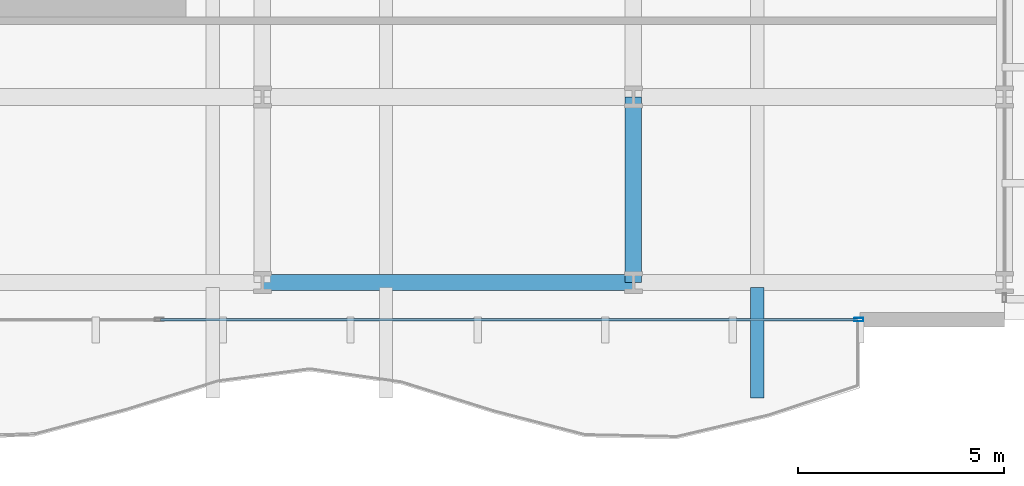
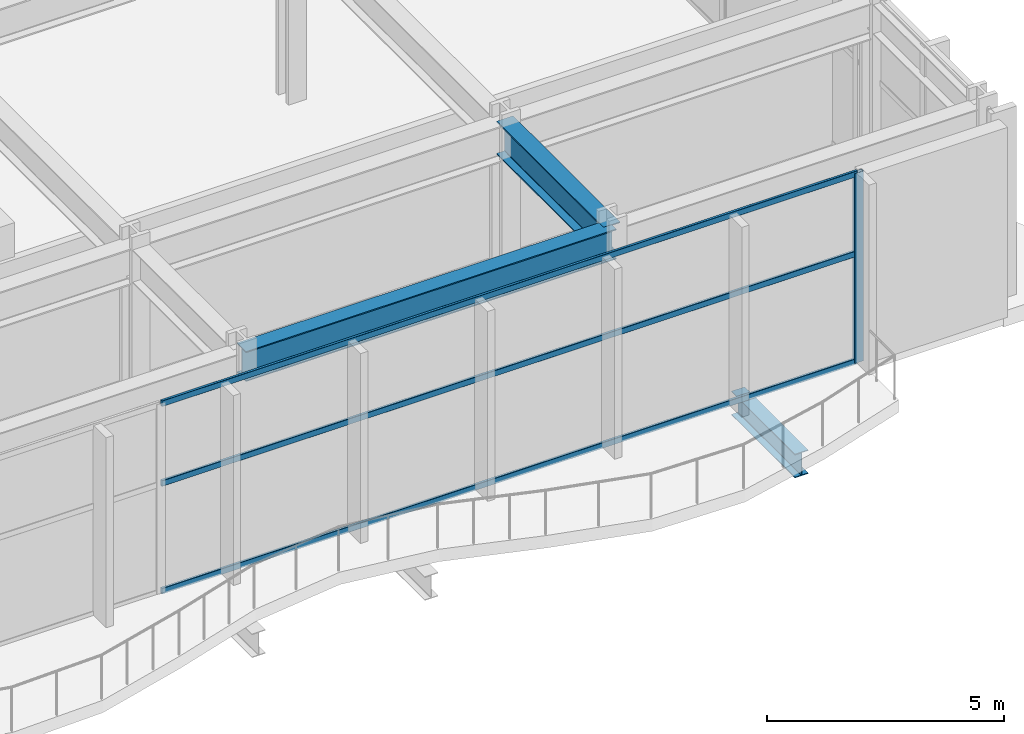
# One storey, part 8 of 31: 4 members, 3 beams, 1 element without a shape of its own.
"""IFC4 building model written with IfcOpenShell, lengths in metres."""

from ifc_helpers import new_model, si_unit, direction, frame, origin, origin_2d, place, context, subcontext, project, spatial, hollow_rectangle, i_section, extrude, material, layer, layer_set, material_profile, profile_set, type_object, element, aggregate, save


model = new_model("IFC4")

# Units and contexts
model_context = context("Model", 3, precision=1e-05, world=origin(), true_north=direction((0.0, 1.0)))
body_context = subcontext(model_context, "Body", "Model", "MODEL_VIEW")
ifc_project = project(units=[si_unit("LENGTHUNIT", "METRE"), si_unit("AREAUNIT", "SQUARE_METRE"), si_unit("VOLUMEUNIT", "CUBIC_METRE"), si_unit("PLANEANGLEUNIT", "RADIAN"), si_unit("MASSUNIT", "GRAM", prefix="KILO")], contexts=[model_context])

# Site, building, storey
site_placement = place(None, origin())
site = spatial("IfcSite", under=ifc_project, at=site_placement, CompositionType="ELEMENT")
building_placement = place(site_placement, origin())
building = spatial("IfcBuilding", under=site, at=building_placement, Name="Solvaryn Broadcast Tower", CompositionType="ELEMENT")
storey_placement = place(building_placement, frame((0.0, 0.0, 11.0)))
storey = spatial("IfcBuildingStorey", under=building, at=storey_placement, Name="L02", CompositionType="ELEMENT", Elevation=11.0)

# Beams
ifc_material_1 = material(Name="Steel ASTM A992 Grade 50", Category="steel")
ifc_material_profile_1 = material_profile(ifc_material_1, i_section(OverallWidth=0.323974609375, OverallDepth=0.611083984375, WebThickness=0.0126953125, FlangeThickness=0.01904296875, FilletRadius=0.014892578125, at=origin_2d()))
ifc_profile_set_1 = profile_set([ifc_material_profile_1], Name="Steel ASTM A992 Grade 50")
beam_type_1 = type_object("IfcBeamType", Name="BM-CANT-TER", PredefinedType="BEAM", material=ifc_profile_set_1)
beam_1_placement = place(storey_placement, frame((57.0, 4.375, -0.62548828125), z_axis=(0.0, -1.0, 0.0), x_axis=(1.0, 0.0, 0.0)))
element("IfcBeam", 1, at=beam_1_placement, inside=storey, type_object=beam_type_1, Name="L02 Terrace Cantilever Beam X57.0", PredefinedType="BEAM", context=body_context, shape_type="SweptSolid", body=[
    extrude(i_section(OverallWidth=0.323974609375, OverallDepth=0.611083984375, WebThickness=0.0126953125, FlangeThickness=0.01904296875, FilletRadius=0.014892578125, at=origin_2d()), origin(), (0.0, 0.0, 1.0), 2.675048828125),
])
ifc_material_2 = material(Name="Steel ASTM A992 Grade 50", Category="steel")
ifc_material_profile_2 = material_profile(ifc_material_2, i_section(OverallWidth=0.39990234375, OverallDepth=0.85498046875, WebThickness=0.018310546875, FlangeThickness=0.029296875, FilletRadius=0.02001953125, at=origin_2d()))
ifc_profile_set_2 = profile_set([ifc_material_profile_2], Name="Steel ASTM A992 Grade 50")
beam_type_2 = type_object("IfcBeamType", Name="BM-G3-W33X201", PredefinedType="BEAM", material=ifc_profile_set_2)
beam_2_placement = place(storey_placement, frame((54.0, 4.5, 4.452392578125), z_axis=(0.0, 1.0, 0.0), x_axis=(-1.0, 0.0, 0.0)))
element("IfcBeam", 2, at=beam_2_placement, inside=storey, type_object=beam_type_2, Name="L02 Primary Beam Y (4-9 @ X=54)", PredefinedType="BEAM", context=body_context, shape_type="SweptSolid", body=[
    extrude(i_section(OverallWidth=0.39990234375, OverallDepth=0.85498046875, WebThickness=0.018310546875, FlangeThickness=0.029296875, FilletRadius=0.02001953125, at=origin_2d()), origin(), (0.0, 0.0, 1.0), 4.5),
])
ifc_material_3 = material(Name="Steel ASTM A992 Grade 50", Category="steel")
ifc_material_profile_3 = material_profile(ifc_material_3, i_section(OverallWidth=0.381103515625, OverallDepth=0.77294921875, WebThickness=0.0166015625, FlangeThickness=0.027099609375, FilletRadius=0.01806640625, at=origin_2d()))
ifc_profile_set_3 = profile_set([ifc_material_profile_3], Name="Steel ASTM A992 Grade 50")
beam_type_3 = type_object("IfcBeamType", Name="BM-SP1-W30X173", PredefinedType="USERDEFINED", material=ifc_profile_set_3)
beam_3_placement = place(storey_placement, frame((45.0, 4.5, 4.493408203125), z_axis=(1.0, 0.0, 0.0), x_axis=(0.0, 1.0, 0.0)))
element("IfcBeam", 3, at=beam_3_placement, inside=storey, type_object=beam_type_3, Name="L02 Spandrel Beam X (45-54 @ Y=4)", ObjectType="SPANDREL", PredefinedType="USERDEFINED", context=body_context, shape_type="SweptSolid", body=[
    extrude(i_section(OverallWidth=0.381103515625, OverallDepth=0.77294921875, WebThickness=0.0166015625, FlangeThickness=0.027099609375, FilletRadius=0.01806640625, at=origin_2d()), origin(), (0.0, 0.0, 1.0), 9.0),
])

# Curtain wall, members
ifc_material_4 = material(Name="Aluminium and Terracotta Unitised Curtain Wall", Category="masonry")
ifc_layer = layer(ifc_material_4, 0.219970703125)
ifc_layer_set = layer_set([ifc_layer], Name="CW-SYS1-PODIUM")
curtain_wall_type = type_object("IfcCurtainWallType", Name="CW-SYS1-PODIUM", PredefinedType="NOTDEFINED", material=ifc_layer_set)
curtain_wall_placement = place(storey_placement, origin())
curtain_wall = element("IfcCurtainWall", 4, at=curtain_wall_placement, inside=storey, type_object=curtain_wall_type, Name="L02 Podium Curtain Wall S1", PredefinedType="NOTDEFINED")
ifc_material_5 = material(Name="Anodised Aluminium 6063-T6", Category="aluminium")
ifc_material_profile_4 = material_profile(ifc_material_5, hollow_rectangle(XDim=0.0849609375, YDim=0.219970703125, WallThickness=0.0048828125, InnerFilletRadius=0.0048828125, OuterFilletRadius=0.010009765625, at=origin_2d()))
ifc_profile_set_4 = profile_set([ifc_material_profile_4], Name="Anodised Aluminium 6063-T6")
member_type_1 = type_object("IfcMemberType", Name="CW-MUL-220", PredefinedType="MULLION", material=ifc_profile_set_4)
member_1_placement = place(storey_placement, frame((59.469970703125, 3.60009765625, 0.0), z_axis=(0.0, 0.0, 1.0), x_axis=(0.0, -1.0, 0.0)))
member_1 = element("IfcMember", 5, at=member_1_placement, type_object=member_type_1, Name="CWS1 mullion 1", PredefinedType="MULLION", context=body_context, shape_type="SweptSolid", body=[
    extrude(hollow_rectangle(XDim=0.0849609375, YDim=0.219970703125, WallThickness=0.0048828125, InnerFilletRadius=0.0048828125, OuterFilletRadius=0.010009765625, at=origin_2d()), origin(), (0.0, 0.0, 1.0), 4.8798828125),
])
ifc_material_6 = material(Name="Anodised Aluminium 6063-T6", Category="aluminium")
ifc_material_profile_5 = material_profile(ifc_material_6, hollow_rectangle(XDim=0.06494140625, YDim=0.14990234375, WallThickness=0.00390625, InnerFilletRadius=0.00390625, OuterFilletRadius=0.008056640625, at=origin_2d()))
ifc_profile_set_5 = profile_set([ifc_material_profile_5], Name="Anodised Aluminium 6063-T6")
member_type_2 = type_object("IfcMemberType", Name="CW-TRN-150", PredefinedType="USERDEFINED", material=ifc_profile_set_5)
member_2_placement = place(storey_placement, frame((59.43994140625, 3.60009765625, 0.030029296875), z_axis=(-1.0, 0.0, 0.0), x_axis=(0.0, -1.0, 0.0)))
member_2 = element("IfcMember", 6, at=member_2_placement, type_object=member_type_2, Name="CWS1 transom 1.1", ObjectType="TRANSOM", PredefinedType="USERDEFINED", context=body_context, shape_type="SweptSolid", body=[
    extrude(hollow_rectangle(XDim=0.06494140625, YDim=0.14990234375, WallThickness=0.00390625, InnerFilletRadius=0.00390625, OuterFilletRadius=0.008056640625, at=origin_2d()), origin(), (0.0, 0.0, 1.0), 16.909912109375),
])
member_3_placement = place(storey_placement, frame((59.43994140625, 3.60009765625, 2.800048828125), z_axis=(-1.0, 0.0, 0.0), x_axis=(0.0, -1.0, 0.0)))
member_3 = element("IfcMember", 7, at=member_3_placement, type_object=member_type_2, Name="CWS1 transom 1.2", ObjectType="TRANSOM", PredefinedType="USERDEFINED", context=body_context, shape_type="SweptSolid", body=[
    extrude(hollow_rectangle(XDim=0.06494140625, YDim=0.14990234375, WallThickness=0.00390625, InnerFilletRadius=0.00390625, OuterFilletRadius=0.008056640625, at=origin_2d()), origin(), (0.0, 0.0, 1.0), 16.909912109375),
])
member_4_placement = place(storey_placement, frame((59.43994140625, 3.60009765625, 4.85009765625), z_axis=(-1.0, 0.0, 0.0), x_axis=(0.0, -1.0, 0.0)))
member_4 = element("IfcMember", 8, at=member_4_placement, type_object=member_type_2, Name="CWS1 transom 1.3", ObjectType="TRANSOM", PredefinedType="USERDEFINED", context=body_context, shape_type="SweptSolid", body=[
    extrude(hollow_rectangle(XDim=0.06494140625, YDim=0.14990234375, WallThickness=0.00390625, InnerFilletRadius=0.00390625, OuterFilletRadius=0.008056640625, at=origin_2d()), origin(), (0.0, 0.0, 1.0), 16.909912109375),
])
aggregate(curtain_wall, [member_1, member_2, member_3, member_4])

save(model, "model.ifc")
